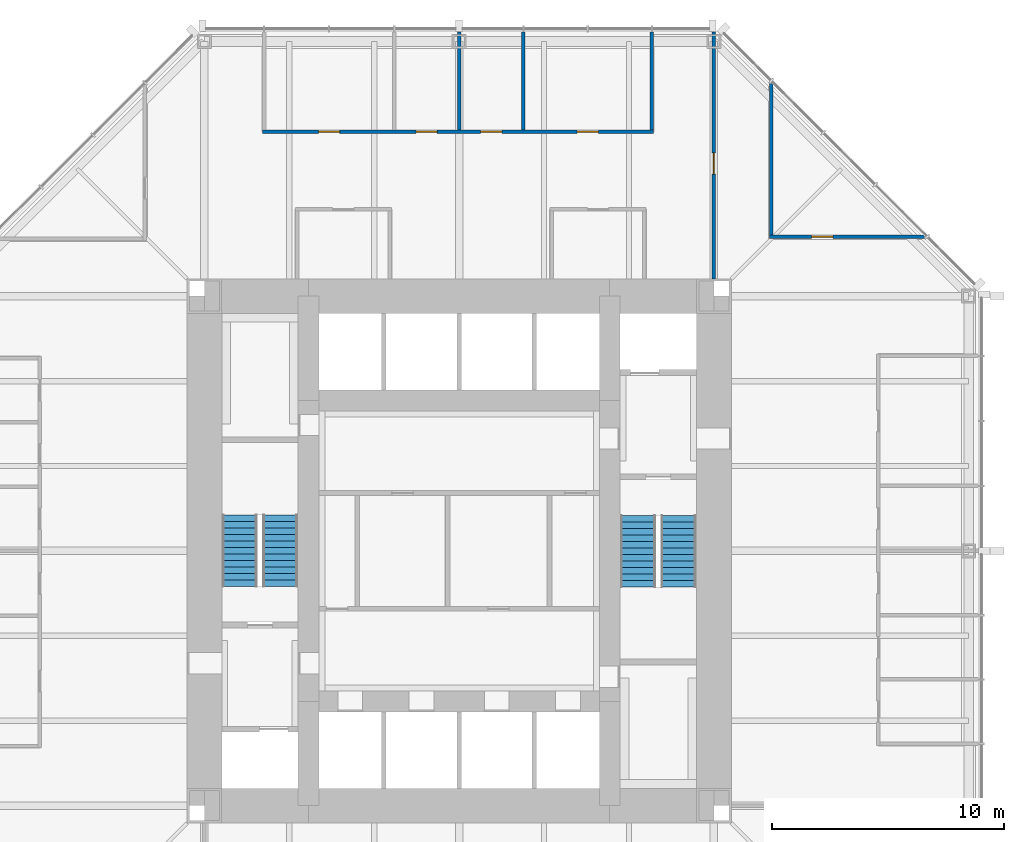
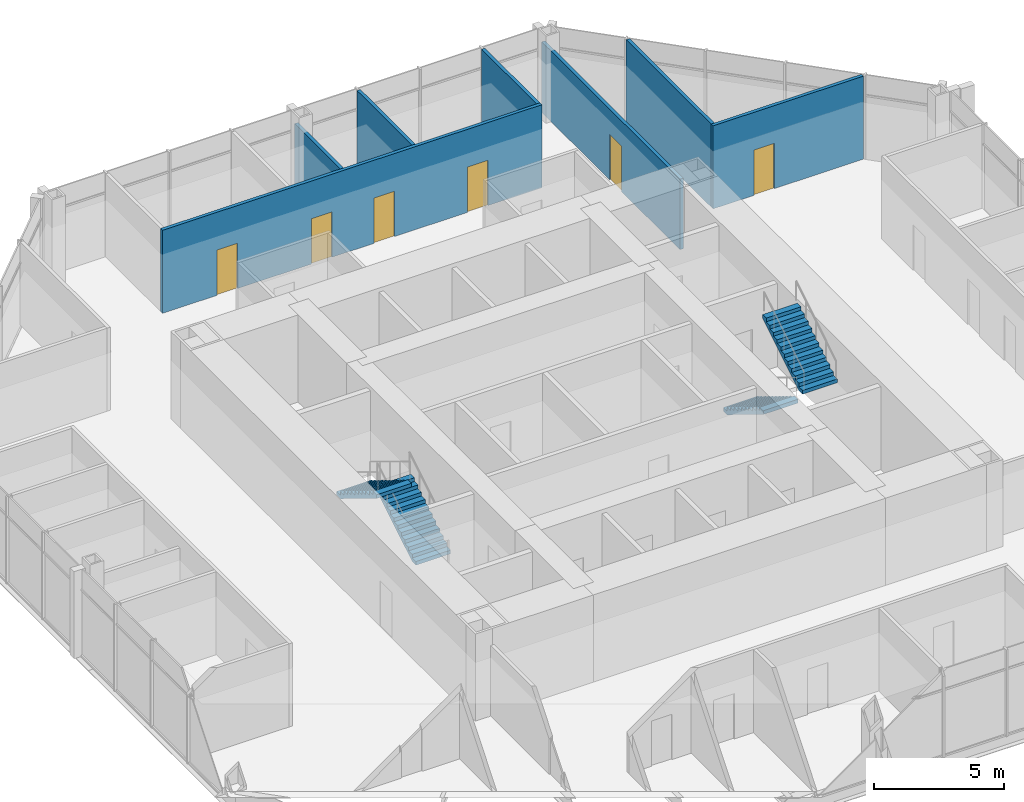
# One storey, part 11 of 12: 7 walls, 6 doors, 4 stair flights, 6 openings, 2 elements without a shape of their own.
"""IFC4 building model written with IfcOpenShell, lengths in metres."""

from ifc_helpers import new_model, si_unit, direction, frame, frame_2d, origin, place, context, subcontext, project, spatial, polyline, rectangle, outline, extrude, material, layer, layer_set, type_object, element, fill, aggregate, save


model = new_model("IFC4")

# Units and contexts
model_context = context("Model", 3, precision=1e-05, world=origin(), true_north=direction((0.0, 1.0)))
body_context = subcontext(model_context, "Body", "Model", "MODEL_VIEW")
ifc_project = project(units=[si_unit("LENGTHUNIT", "METRE"), si_unit("AREAUNIT", "SQUARE_METRE"), si_unit("VOLUMEUNIT", "CUBIC_METRE"), si_unit("PLANEANGLEUNIT", "RADIAN"), si_unit("MASSUNIT", "GRAM", prefix="KILO")], contexts=[model_context])

# Site, building, storey
site_placement = place(None, origin())
site = spatial("IfcSite", under=ifc_project, at=site_placement, CompositionType="ELEMENT")
building_placement = place(site_placement, origin())
building = spatial("IfcBuilding", under=site, at=building_placement, Name="Trevanion Tower", CompositionType="ELEMENT")
storey_placement = place(building_placement, frame((0.0, 0.0, 170.5)))
storey = spatial("IfcBuildingStorey", under=building, at=storey_placement, Name="L40", CompositionType="ELEMENT", Elevation=170.5)

# Wall, opening, door
ifc_material_1 = material(Name="Gypsum board on steel studs", Category="steel")
ifc_layer = layer(ifc_material_1, 0.14990234375)
ifc_layer_set = layer_set([ifc_layer], Name="PT1 partition 150")
wall_type = type_object("IfcWallType", Name="PT1 partition 150", PredefinedType="PARTITIONING", material=ifc_layer_set)
wall_1_placement = place(storey_placement, frame((11.0, 11.75, 0.0), z_axis=(0.0, 0.0, 1.0), x_axis=(0.0, 1.0, 0.0)))
wall_1 = element("IfcWall", 1, at=wall_1_placement, inside=storey, type_object=wall_type, Name="PT1 L40 ZW0", PredefinedType="PARTITIONING", context=body_context, shape_type="SweptSolid", body=[
    extrude(rectangle(XDim=10.6650390625, YDim=0.14990234375, at=frame_2d((5.33251953125, 0.0))), origin(), (0.0, 0.0, 1.0), 3.32568359375),
])
opening_1_placement = place(wall_1_placement, frame((4.517578125, 0.0, 0.0)))
opening_1 = element("IfcOpeningElement", 2, at=opening_1_placement, cuts=wall_1, Name="Opening 40-019", PredefinedType="OPENING", context=body_context, shape_type="SweptSolid", body=[
    extrude(rectangle(XDim=0.9150390625, YDim=2.134033203125, at=frame_2d((0.45751953125, 1.06689453125))), frame((0.0, 0.0849609375, 0.0), z_axis=(0.0, -1.0, 0.0), x_axis=(1.0, 0.0, 0.0)), (0.0, 0.0, 1.0), 0.169921875),
])
ifc_material_2 = material(Name="Timber veneer, solid core", Category="wood")
door_type = type_object("IfcDoorType", Name="D1 office and meeting room door", OperationType="SINGLE_SWING_LEFT", PredefinedType="DOOR", material=ifc_material_2)
door_1_placement = place(opening_1_placement, origin())
door_1 = element("IfcDoor", 3, at=door_1_placement, inside=storey, type_object=door_type, Name="Door 40-019", OperationType="SINGLE_SWING_LEFT", OverallHeight=2.134033203125, OverallWidth=0.9150390625, PredefinedType="DOOR", context=body_context, shape_type="SweptSolid", body=[
    extrude(rectangle(XDim=0.9150390625, YDim=2.134033203125, at=frame_2d((0.45751953125, 1.06689453125))), frame((0.0, 0.02490234375, 0.0), z_axis=(0.0, -1.0, 0.0), x_axis=(1.0, 0.0, 0.0)), (0.0, 0.0, 1.0), 0.050048828125),
])
fill(opening_1, door_1)

wall_2_placement = place(storey_placement, frame((13.39892578125, 13.56591796875, 0.0), z_axis=(0.0, 0.0, 1.0), x_axis=(1.0, 0.0, 0.0)))
wall_2 = element("IfcWall", 4, at=wall_2_placement, inside=storey, type_object=wall_type, Name="PT1 L40 KW0a", PredefinedType="PARTITIONING", context=body_context, shape_type="SweptSolid", body=[
    extrude(rectangle(XDim=6.697998046875, YDim=0.14990234375, at=frame_2d((3.34912109375, 0.0))), origin(), (0.0, 0.0, 1.0), 3.909912109375),
])
opening_2_placement = place(wall_2_placement, frame((1.8173828125, 0.0, 0.0)))
opening_2 = element("IfcOpeningElement", 5, at=opening_2_placement, cuts=wall_2, Name="Opening 40-022", PredefinedType="OPENING", context=body_context, shape_type="SweptSolid", body=[
    extrude(rectangle(XDim=0.9150390625, YDim=2.134033203125, at=frame_2d((0.45751953125, 1.06689453125))), frame((0.0, 0.0849609375, 0.0), z_axis=(0.0, -1.0, 0.0), x_axis=(1.0, 0.0, 0.0)), (0.0, 0.0, 1.0), 0.169921875),
])
door_2_placement = place(opening_2_placement, origin())
door_2 = element("IfcDoor", 6, at=door_2_placement, inside=storey, type_object=door_type, Name="Door 40-022", OperationType="SINGLE_SWING_LEFT", OverallHeight=2.134033203125, OverallWidth=0.9150390625, PredefinedType="DOOR", context=body_context, shape_type="SweptSolid", body=[
    extrude(rectangle(XDim=0.9150390625, YDim=2.134033203125, at=frame_2d((0.45751953125, 1.06689453125))), frame((0.0, 0.02490234375, 0.0), z_axis=(0.0, -1.0, 0.0), x_axis=(1.0, 0.0, 0.0)), (0.0, 0.0, 1.0), 0.050048828125),
])
fill(opening_2, door_2)

# Wall
wall_3_placement = place(storey_placement, frame((13.47412109375, 13.64111328125, 0.0), z_axis=(0.0, 0.0, 1.0), x_axis=(0.0, 1.0, 0.0)))
element("IfcWall", 7, at=wall_3_placement, inside=storey, type_object=wall_type, Name="PT1 L40 KW0b", PredefinedType="PARTITIONING", context=body_context, shape_type="SweptSolid", body=[
    extrude(rectangle(XDim=6.5478515625, YDim=0.14990234375, at=frame_2d((3.27392578125, 0.0))), origin(), (0.0, 0.0, 1.0), 3.909912109375),
])

# Wall, openings, doors
wall_4_placement = place(storey_placement, frame((8.39794921875, 18.10009765625, 0.0), z_axis=(0.0, 0.0, 1.0), x_axis=(-1.0, 0.0, 0.0)))
wall_4 = element("IfcWall", 8, at=wall_4_placement, inside=storey, type_object=wall_type, Name="PT1 L40 FC1F", PredefinedType="PARTITIONING", context=body_context, shape_type="SweptSolid", body=[
    extrude(rectangle(XDim=16.89404296875, YDim=0.14990234375, at=frame_2d((8.447021484375, 0.0))), origin(), (0.0, 0.0, 1.0), 3.909912109375),
])
opening_3_placement = place(wall_4_placement, frame((2.3916015625, 0.0, 0.0)))
opening_3 = element("IfcOpeningElement", 9, at=opening_3_placement, cuts=wall_4, Name="Opening 40-031", PredefinedType="OPENING", context=body_context, shape_type="SweptSolid", body=[
    extrude(rectangle(XDim=0.9150390625, YDim=2.134033203125, at=frame_2d((0.45751953125, 1.06689453125))), frame((0.0, 0.0849609375, 0.0), z_axis=(0.0, -1.0, 0.0), x_axis=(1.0, 0.0, 0.0)), (0.0, 0.0, 1.0), 0.169921875),
])
opening_4_placement = place(wall_4_placement, frame((6.552978515625, 0.0, 0.0)))
opening_4 = element("IfcOpeningElement", 10, at=opening_4_placement, cuts=wall_4, Name="Opening 40-032", PredefinedType="OPENING", context=body_context, shape_type="SweptSolid", body=[
    extrude(rectangle(XDim=0.9150390625, YDim=2.134033203125, at=frame_2d((0.45751953125, 1.06689453125))), frame((0.0, 0.0849609375, 0.0), z_axis=(0.0, -1.0, 0.0), x_axis=(1.0, 0.0, 0.0)), (0.0, 0.0, 1.0), 0.169921875),
])
opening_5_placement = place(wall_4_placement, frame((9.343994140625, 0.0, 0.0)))
opening_5 = element("IfcOpeningElement", 11, at=opening_5_placement, cuts=wall_4, Name="Opening 40-033", PredefinedType="OPENING", context=body_context, shape_type="SweptSolid", body=[
    extrude(rectangle(XDim=0.9150390625, YDim=2.134033203125, at=frame_2d((0.45751953125, 1.06689453125))), frame((0.0, 0.0849609375, 0.0), z_axis=(0.0, -1.0, 0.0), x_axis=(1.0, 0.0, 0.0)), (0.0, 0.0, 1.0), 0.169921875),
])
opening_6_placement = place(wall_4_placement, frame((13.554443359375, 0.0, 0.0)))
opening_6 = element("IfcOpeningElement", 12, at=opening_6_placement, cuts=wall_4, Name="Opening 40-034", PredefinedType="OPENING", context=body_context, shape_type="SweptSolid", body=[
    extrude(rectangle(XDim=0.9150390625, YDim=2.134033203125, at=frame_2d((0.45751953125, 1.06689453125))), frame((0.0, 0.0849609375, 0.0), z_axis=(0.0, -1.0, 0.0), x_axis=(1.0, 0.0, 0.0)), (0.0, 0.0, 1.0), 0.169921875),
])
door_3_placement = place(opening_3_placement, origin())
door_3 = element("IfcDoor", 13, at=door_3_placement, inside=storey, type_object=door_type, Name="Door 40-031", OperationType="SINGLE_SWING_LEFT", OverallHeight=2.134033203125, OverallWidth=0.9150390625, PredefinedType="DOOR", context=body_context, shape_type="SweptSolid", body=[
    extrude(rectangle(XDim=0.9150390625, YDim=2.134033203125, at=frame_2d((0.45751953125, 1.06689453125))), frame((0.0, 0.02490234375, 0.0), z_axis=(0.0, -1.0, 0.0), x_axis=(1.0, 0.0, 0.0)), (0.0, 0.0, 1.0), 0.050048828125),
])
fill(opening_3, door_3)
door_4_placement = place(opening_4_placement, origin())
door_4 = element("IfcDoor", 14, at=door_4_placement, inside=storey, type_object=door_type, Name="Door 40-032", OperationType="SINGLE_SWING_LEFT", OverallHeight=2.134033203125, OverallWidth=0.9150390625, PredefinedType="DOOR", context=body_context, shape_type="SweptSolid", body=[
    extrude(rectangle(XDim=0.9150390625, YDim=2.134033203125, at=frame_2d((0.45751953125, 1.06689453125))), frame((0.0, 0.02490234375, 0.0), z_axis=(0.0, -1.0, 0.0), x_axis=(1.0, 0.0, 0.0)), (0.0, 0.0, 1.0), 0.050048828125),
])
fill(opening_4, door_4)
door_5_placement = place(opening_5_placement, origin())
door_5 = element("IfcDoor", 15, at=door_5_placement, inside=storey, type_object=door_type, Name="Door 40-033", OperationType="SINGLE_SWING_LEFT", OverallHeight=2.134033203125, OverallWidth=0.9150390625, PredefinedType="DOOR", context=body_context, shape_type="SweptSolid", body=[
    extrude(rectangle(XDim=0.9150390625, YDim=2.134033203125, at=frame_2d((0.45751953125, 1.06689453125))), frame((0.0, 0.02490234375, 0.0), z_axis=(0.0, -1.0, 0.0), x_axis=(1.0, 0.0, 0.0)), (0.0, 0.0, 1.0), 0.050048828125),
])
fill(opening_5, door_5)
door_6_placement = place(opening_6_placement, origin())
door_6 = element("IfcDoor", 16, at=door_6_placement, inside=storey, type_object=door_type, Name="Door 40-034", OperationType="SINGLE_SWING_LEFT", OverallHeight=2.134033203125, OverallWidth=0.9150390625, PredefinedType="DOOR", context=body_context, shape_type="SweptSolid", body=[
    extrude(rectangle(XDim=0.9150390625, YDim=2.134033203125, at=frame_2d((0.45751953125, 1.06689453125))), frame((0.0, 0.02490234375, 0.0), z_axis=(0.0, -1.0, 0.0), x_axis=(1.0, 0.0, 0.0)), (0.0, 0.0, 1.0), 0.050048828125),
])
fill(opening_6, door_6)

# Walls
for number, where, z_axis, x_axis, name in (
    (17, (8.322998046875, 18.175048828125, 0.0), (0.0, 0.0, 1.0), (0.0, 1.0, 0.0), "PT1 L40 FC1S0"),
    (18, (2.77490234375, 18.175048828125, 0.0), (0.0, 0.0, 1.0), (0.0, 1.0, 0.0), "PT1 L40 FC1S2"),
):
    element("IfcWall", number, at=place(storey_placement, frame(where, z_axis=z_axis, x_axis=x_axis)), inside=storey, type_object=wall_type, Name=name, PredefinedType="PARTITIONING", context=body_context, shape_type="SweptSolid", body=[
        extrude(rectangle(XDim=4.239990234375, YDim=0.14990234375, at=frame_2d((2.1201171875, 0.0))), origin(), (0.0, 0.0, 1.0), 3.909912109375),
    ])
wall_5_placement = place(storey_placement, frame((0.0, 18.175048828125, 0.0), z_axis=(0.0, 0.0, 1.0), x_axis=(0.0, 1.0, 0.0)))
element("IfcWall", 19, at=wall_5_placement, inside=storey, type_object=wall_type, Name="PT1 L40 FC1S3", PredefinedType="PARTITIONING", context=body_context, shape_type="SweptSolid", body=[
    extrude(rectangle(XDim=4.239990234375, YDim=0.14990234375, at=frame_2d((2.1201171875, 0.0))), origin(), (0.0, 0.0, 1.0), 3.32568359375),
])

# Stair, stair flights
ifc_material_3 = material(Name="Concrete 5,000 psi on steel stringers", Category="concrete")
stair_type = type_object("IfcStairType", Name="ST stair", PredefinedType="HALF_TURN_STAIR", material=ifc_material_3)
stair_1_placement = place(storey_placement, origin())
stair_1 = element("IfcStair", 20, at=stair_1_placement, inside=storey, type_object=stair_type, Name="ST1 L40", PredefinedType="HALF_TURN_STAIR")
ifc_material_4 = material(Name="Concrete 5,000 psi in steel pan", Category="concrete")
stair_flight_type = type_object("IfcStairFlightType", Name="STF stair flight", PredefinedType="STRAIGHT", material=ifc_material_4)
stair_flight_1_placement = place(storey_placement, frame((7.72509765625, 1.52490234375, 0.0), z_axis=(0.0, 0.0, 1.0), x_axis=(0.0, -1.0, 0.0)))
stair_flight_1 = element("IfcStairFlight", 21, at=stair_flight_1_placement, type_object=stair_flight_type, Name="ST1 flight 1", NumberOfRisers=12, NumberOfTreads=11, PredefinedType="STRAIGHT", RiserHeight=0.170833333, TreadLength=0.28, context=body_context, shape_type="SweptSolid", body=[
    extrude(outline(polyline([(0.0, 0.0), (0.0, 0.1708984375), (0.280029296875, 0.1708984375), (0.280029296875, 0.341552734375), (0.56005859375, 0.341552734375), (0.56005859375, 0.512451171875), (0.840087890625, 0.512451171875), (0.840087890625, 0.683349609375), (1.1201171875, 0.683349609375), (1.1201171875, 0.854248046875), (1.39990234375, 0.854248046875), (1.39990234375, 1.02490234375), (1.679931640625, 1.02490234375), (1.679931640625, 1.19580078125), (1.9599609375, 1.19580078125), (1.9599609375, 1.36669921875), (2.239990234375, 1.36669921875), (2.239990234375, 1.53759765625), (2.52001953125, 1.53759765625), (2.52001953125, 1.708251953125), (2.800048828125, 1.708251953125), (2.800048828125, 1.879150390625), (3.080078125, 1.879150390625), (3.080078125, 2.050048828125), (3.080078125, 1.70361328125), (0.287841796875, 0.0), (0.0, 0.0)])), frame((0.0, 0.77490234375, 0.0), z_axis=(0.0, -1.0, 0.0), x_axis=(1.0, 0.0, 0.0)), (0.0, 0.0, 1.0), 1.550048828125),
])
stair_flight_2_placement = place(storey_placement, frame((9.47509765625, -1.554931640625, 2.050048828125), z_axis=(0.0, 0.0, 1.0), x_axis=(0.0, 1.0, 0.0)))
stair_flight_2 = element("IfcStairFlight", 22, at=stair_flight_2_placement, type_object=stair_flight_type, Name="ST1 flight 2", NumberOfRisers=12, NumberOfTreads=11, PredefinedType="STRAIGHT", RiserHeight=0.170833333, TreadLength=0.28, context=body_context, shape_type="SweptSolid", body=[
    extrude(outline(polyline([(0.0, 0.0), (0.0, 0.1708984375), (0.280029296875, 0.1708984375), (0.280029296875, 0.341552734375), (0.56005859375, 0.341552734375), (0.56005859375, 0.512451171875), (0.840087890625, 0.512451171875), (0.840087890625, 0.683349609375), (1.1201171875, 0.683349609375), (1.1201171875, 0.854248046875), (1.39990234375, 0.854248046875), (1.39990234375, 1.02490234375), (1.679931640625, 1.02490234375), (1.679931640625, 1.19580078125), (1.9599609375, 1.19580078125), (1.9599609375, 1.36669921875), (2.239990234375, 1.36669921875), (2.239990234375, 1.53759765625), (2.52001953125, 1.53759765625), (2.52001953125, 1.708251953125), (2.800048828125, 1.708251953125), (2.800048828125, 1.879150390625), (3.080078125, 1.879150390625), (3.080078125, 2.050048828125), (3.080078125, 1.70361328125), (0.287841796875, 0.0), (0.0, 0.0)])), frame((0.0, 0.77490234375, 0.0), z_axis=(0.0, -1.0, 0.0), x_axis=(1.0, 0.0, 0.0)), (0.0, 0.0, 1.0), 1.550048828125),
])
aggregate(stair_1, [stair_flight_1, stair_flight_2])

stair_2_placement = place(storey_placement, origin())
stair_2 = element("IfcStair", 23, at=stair_2_placement, inside=storey, type_object=stair_type, Name="ST2 L40", PredefinedType="HALF_TURN_STAIR")
stair_flight_3_placement = place(storey_placement, frame((-7.72509765625, -1.52490234375, 0.0), z_axis=(0.0, 0.0, 1.0), x_axis=(0.0, 1.0, 0.0)))
stair_flight_3 = element("IfcStairFlight", 24, at=stair_flight_3_placement, type_object=stair_flight_type, Name="ST2 flight 1", NumberOfRisers=12, NumberOfTreads=11, PredefinedType="STRAIGHT", RiserHeight=0.170833333, TreadLength=0.28, context=body_context, shape_type="SweptSolid", body=[
    extrude(outline(polyline([(0.0, 0.0), (0.0, 0.1708984375), (0.280029296875, 0.1708984375), (0.280029296875, 0.341552734375), (0.56005859375, 0.341552734375), (0.56005859375, 0.512451171875), (0.840087890625, 0.512451171875), (0.840087890625, 0.683349609375), (1.1201171875, 0.683349609375), (1.1201171875, 0.854248046875), (1.39990234375, 0.854248046875), (1.39990234375, 1.02490234375), (1.679931640625, 1.02490234375), (1.679931640625, 1.19580078125), (1.9599609375, 1.19580078125), (1.9599609375, 1.36669921875), (2.239990234375, 1.36669921875), (2.239990234375, 1.53759765625), (2.52001953125, 1.53759765625), (2.52001953125, 1.708251953125), (2.800048828125, 1.708251953125), (2.800048828125, 1.879150390625), (3.080078125, 1.879150390625), (3.080078125, 2.050048828125), (3.080078125, 1.70361328125), (0.287841796875, 0.0), (0.0, 0.0)])), frame((0.0, 0.77490234375, 0.0), z_axis=(0.0, -1.0, 0.0), x_axis=(1.0, 0.0, 0.0)), (0.0, 0.0, 1.0), 1.550048828125),
])
stair_flight_4_placement = place(storey_placement, frame((-9.47509765625, 1.554931640625, 2.050048828125), z_axis=(0.0, 0.0, 1.0), x_axis=(0.0, -1.0, 0.0)))
stair_flight_4 = element("IfcStairFlight", 25, at=stair_flight_4_placement, type_object=stair_flight_type, Name="ST2 flight 2", NumberOfRisers=12, NumberOfTreads=11, PredefinedType="STRAIGHT", RiserHeight=0.170833333, TreadLength=0.28, context=body_context, shape_type="SweptSolid", body=[
    extrude(outline(polyline([(0.0, 0.0), (0.0, 0.1708984375), (0.280029296875, 0.1708984375), (0.280029296875, 0.341552734375), (0.56005859375, 0.341552734375), (0.56005859375, 0.512451171875), (0.840087890625, 0.512451171875), (0.840087890625, 0.683349609375), (1.1201171875, 0.683349609375), (1.1201171875, 0.854248046875), (1.39990234375, 0.854248046875), (1.39990234375, 1.02490234375), (1.679931640625, 1.02490234375), (1.679931640625, 1.19580078125), (1.9599609375, 1.19580078125), (1.9599609375, 1.36669921875), (2.239990234375, 1.36669921875), (2.239990234375, 1.53759765625), (2.52001953125, 1.53759765625), (2.52001953125, 1.708251953125), (2.800048828125, 1.708251953125), (2.800048828125, 1.879150390625), (3.080078125, 1.879150390625), (3.080078125, 2.050048828125), (3.080078125, 1.70361328125), (0.287841796875, 0.0), (0.0, 0.0)])), frame((0.0, 0.77490234375, 0.0), z_axis=(0.0, -1.0, 0.0), x_axis=(1.0, 0.0, 0.0)), (0.0, 0.0, 1.0), 1.550048828125),
])
aggregate(stair_2, [stair_flight_3, stair_flight_4])

save(model, "model.ifc")
